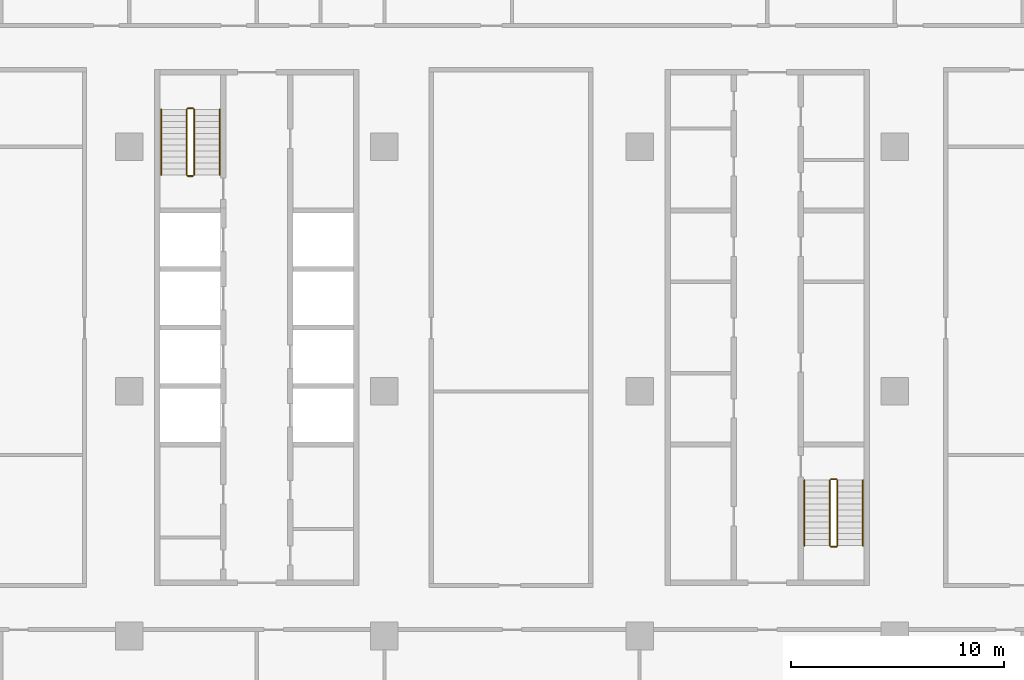
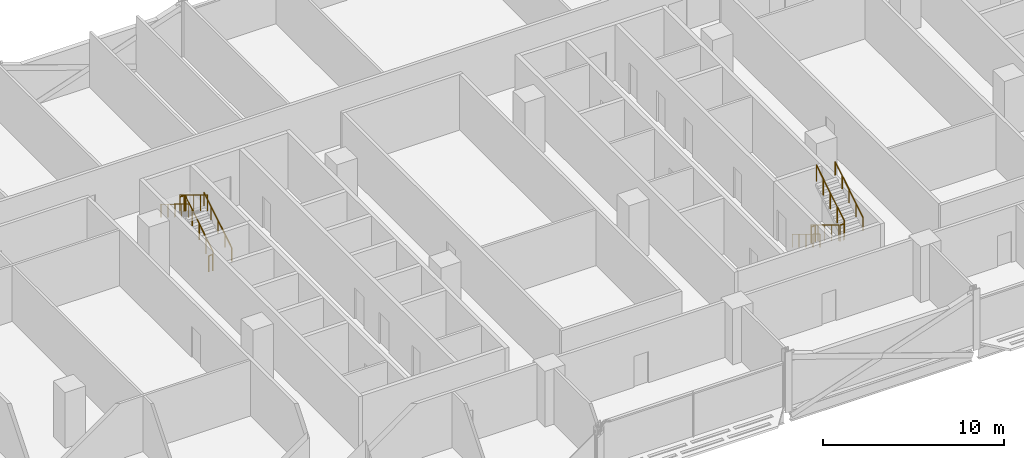
# One storey, part 26 of 29: 12 railings.
"""IFC4 building model written with IfcOpenShell, lengths in metres."""

import ifcopenshell
import ifcopenshell.guid

model = None  # the IFC model being written
_history = None  # IfcOwnerHistory: only IFC2X3 demands one
_inside = {}  # id of a spatial element -> (the spatial element, [elements in it])
_under = {}  # id of a project, library or spatial element -> (it, [spatial elements below it])
_declared = {}  # id of a project -> (the project, [libraries it declares])
_typed = {}  # id of a type object -> (the type object, [elements of that type])
_made_of = {}  # id of a material, layer set ... -> (it, [elements and type objects made of it])


def new_model(schema):
    """Start an empty IFC model of exactly this schema.

    Asked for "IFC4X3", IfcOpenShell would pick the latest addendum, in which some entities
    have other attributes; the version numbers below select the first issue.
    IFC2X3 requires an IfcOwnerHistory on every rooted entity: one is made here for all.
    """
    global model, _history
    if schema == "IFC4X3":
        model = ifcopenshell.file(schema_version=(4, 3, 0, 0))
    else:
        model = ifcopenshell.file(schema=schema)
    _inside.clear()
    _under.clear()
    _declared.clear()
    _typed.clear()
    _made_of.clear()
    _history = None
    if model.schema == "IFC2X3":
        org = make("IfcOrganization", Name="unknown")
        user = make(
            "IfcPersonAndOrganization",
            ThePerson=make("IfcPerson", FamilyName="unknown"),
            TheOrganization=org,
        )
        app = make(
            "IfcApplication",
            ApplicationDeveloper=org,
            Version="unknown",
            ApplicationFullName="unknown",
            ApplicationIdentifier="unknown",
        )
        _history = make(
            "IfcOwnerHistory",
            OwningUser=user,
            OwningApplication=app,
            ChangeAction="ADDED",
            CreationDate=0,
        )
    return model


def make(cls, **values):
    """One entity of the class cls with the attributes given. An attribute that is None is left unset."""
    return model.create_entity(
        cls, **{name: value for name, value in values.items() if value is not None}
    )


def rooted(cls, **values):
    """An entity with a GlobalId (a new one), such as an element, a storey or a relation."""
    return make(cls, GlobalId=ifcopenshell.guid.new(), OwnerHistory=_history, **values)


def si_unit(unit_type, name, prefix=None):
    """IfcSIUnit, for example si_unit("LENGTHUNIT", "METRE", prefix="MILLI")."""
    return make("IfcSIUnit", UnitType=unit_type, Prefix=prefix, Name=name)


def assignment(units):
    """IfcUnitAssignment: the units of a project."""
    return None if units is None else make("IfcUnitAssignment", Units=units)


def point(xyz):
    """IfcCartesianPoint."""
    return None if xyz is None else make("IfcCartesianPoint", Coordinates=xyz)


def direction(xyz):
    """IfcDirection."""
    return None if xyz is None else make("IfcDirection", DirectionRatios=xyz)


def frame(location, z_axis=None, x_axis=None):
    """IfcAxis2Placement3D, a coordinate frame: its origin and axes. An axis left out is left unset."""
    return make(
        "IfcAxis2Placement3D",
        Location=point(location),
        Axis=direction(z_axis),
        RefDirection=direction(x_axis),
    )


def frame_2d(location, x_axis=None):
    """IfcAxis2Placement2D, a coordinate frame in the plane: its origin and x axis."""
    return make(
        "IfcAxis2Placement2D", Location=point(location), RefDirection=direction(x_axis)
    )


def origin():
    """The frame at (0, 0, 0) with its axes left unset."""
    return frame((0.0, 0.0, 0.0))


def origin_2d():
    """The frame at (0, 0) in the plane with its x axis left unset."""
    return frame_2d((0.0, 0.0))


def place(relative_to, where):
    """IfcLocalPlacement: puts the frame where relative to a parent placement (None: the world)."""
    return make(
        "IfcLocalPlacement", PlacementRelTo=relative_to, RelativePlacement=where
    )


def context(
    kind, dimensions, precision=None, world=None, true_north=None, identifier=None
):
    """IfcGeometricRepresentationContext, for example the 3D "Model" context."""
    return make(
        "IfcGeometricRepresentationContext",
        ContextIdentifier=identifier,
        ContextType=kind,
        CoordinateSpaceDimension=dimensions,
        Precision=precision,
        WorldCoordinateSystem=world,
        TrueNorth=true_north,
    )


def subcontext(parent, identifier, kind, view, scale=None):
    """IfcGeometricRepresentationSubContext, for example "Body" below "Model"."""
    return make(
        "IfcGeometricRepresentationSubContext",
        ContextIdentifier=identifier,
        ContextType=kind,
        ParentContext=parent,
        TargetScale=scale,
        TargetView=view,
    )


def project(units=None, contexts=None):
    """IfcProject with its units and contexts."""
    return rooted(
        "IfcProject",
        Name="project",
        RepresentationContexts=contexts,
        UnitsInContext=assignment(units),
    )


def spatial(cls, under=None, at=None, **own):
    """A site, building, storey or space (cls), placed at a placement, below another one or the project."""
    s = rooted(cls, ObjectPlacement=at, **own)
    if under is not None:
        _under.setdefault(under.id(), (under, []))[1].append(s)
    return s


def profile(cls, at=None, kind="AREA", **sizes):
    """A parametric profile (cls). Its sizes go by their IFC names, for example OverallWidth=200.0."""
    return make(cls, ProfileType=kind, Position=at, **sizes)


def circle(**sizes):
    """IfcCircleProfileDef."""
    return profile("IfcCircleProfileDef", **sizes)


def extrude(swept, where, along, depth):
    """IfcExtrudedAreaSolid: the profile swept, set in the frame where, extruded along a direction by depth."""
    return make(
        "IfcExtrudedAreaSolid",
        SweptArea=swept,
        Position=where,
        ExtrudedDirection=direction(along),
        Depth=depth,
    )


def shape(context_of_items, identifier, shape_type, items):
    """IfcShapeRepresentation: the items that make up one representation, for example the "Body"."""
    return make(
        "IfcShapeRepresentation",
        ContextOfItems=context_of_items,
        RepresentationIdentifier=identifier,
        RepresentationType=shape_type,
        Items=items,
    )


def material(Name=None, Category=None):
    """IfcMaterial."""
    return make("IfcMaterial", Name=Name, Category=Category)


def made_of(thing, what):
    """Note that an element or type object is made of a material, layer set ...; save() writes the relation."""
    if what is not None:
        _made_of.setdefault(what.id(), (what, []))[1].append(thing)
    return thing


def type_object(cls, material=None, **own):
    """A type object (cls), such as IfcWallType, which elements share."""
    return made_of(rooted(cls, **own), material)


def element(
    cls,
    number,
    at=None,
    inside=None,
    cuts=None,
    type_object=None,
    material=None,
    context=None,
    identifier="Body",
    shape_type=None,
    held_by="IfcProductDefinitionShape",
    body=None,
    shapes=None,
    **own,
):
    """One element of the class cls, such as IfcWall. Its Tag is "e" and its number.

    at: its placement. inside: the storey or other place that contains it. cuts: it is an
    opening in that element (IfcRelVoidsElement). A single representation is given by context,
    identifier, shape_type and body (its items); several are given by shapes. held_by: the class
    of the entity that holds the representations. save() writes the other relations.
    """
    e = rooted(cls, Tag="e%d" % number, ObjectPlacement=at, **own)
    if body is not None:
        shapes = [shape(context, identifier, shape_type, body)]
    if shapes is not None:
        e.Representation = make(held_by, Representations=shapes)
    if inside is not None:
        _inside.setdefault(inside.id(), (inside, []))[1].append(e)
    if cuts is not None:
        rooted(
            "IfcRelVoidsElement", RelatingBuildingElement=cuts, RelatedOpeningElement=e
        )
    if type_object is not None:
        _typed.setdefault(type_object.id(), (type_object, []))[1].append(e)
    return made_of(e, material)


def aggregate(whole, parts):
    """IfcRelAggregates: a whole, such as a stair, and the parts it consists of."""
    return rooted("IfcRelAggregates", RelatingObject=whole, RelatedObjects=parts)


def save(model, path):
    """Write the relations noted so far, then the file.

    IfcRelAggregates (storeys below a building ...), IfcRelContainedInSpatialStructure (elements
    in a storey), IfcRelDefinesByType, IfcRelAssociatesMaterial and IfcRelDeclares: one each for
    every whole, place, type object, material and project.
    """
    for whole, parts in _under.values():
        aggregate(whole, parts)
    for where, things in _inside.values():
        rooted(
            "IfcRelContainedInSpatialStructure",
            RelatedElements=things,
            RelatingStructure=where,
        )
    for kind, things in _typed.values():
        rooted("IfcRelDefinesByType", RelatedObjects=things, RelatingType=kind)
    for what, things in _made_of.values():
        rooted("IfcRelAssociatesMaterial", RelatedObjects=things, RelatingMaterial=what)
    for by, libraries in _declared.values():
        rooted("IfcRelDeclares", RelatingContext=by, RelatedDefinitions=libraries)
    model.write(path)


model = new_model("IFC4")

# Units and contexts
model_context = context("Model", 3, precision=1e-05, world=origin(), true_north=direction((0.0, 1.0)))
body_context = subcontext(model_context, "Body", "Model", "MODEL_VIEW")
ifc_project = project(units=[si_unit("LENGTHUNIT", "METRE"), si_unit("AREAUNIT", "SQUARE_METRE"), si_unit("VOLUMEUNIT", "CUBIC_METRE"), si_unit("PLANEANGLEUNIT", "RADIAN"), si_unit("MASSUNIT", "GRAM", prefix="KILO")], contexts=[model_context])

# Site, building, storey
site_placement = place(None, origin())
site = spatial("IfcSite", under=ifc_project, at=site_placement, CompositionType="ELEMENT")
building_placement = place(site_placement, origin())
building = spatial("IfcBuilding", under=site, at=building_placement, Name="Mahtab Terrace Research Tower", CompositionType="ELEMENT")
storey_placement = place(building_placement, frame((0.0, 0.0, 126.10009765625)))
storey = spatial("IfcBuildingStorey", under=building, at=storey_placement, Name="L29", CompositionType="ELEMENT", Elevation=126.10009765625)

# Railings
ifc_material = material(Name="Stainless steel AISI 304", Category="steel")
railing_type_1 = type_object("IfcRailingType", Name="Stair guard 1100", PredefinedType="GUARDRAIL", material=ifc_material)
railing_1_placement = place(storey_placement, frame((-26.949951171875, 10.175048828125, 0.170654296875)))
element("IfcRailing", 1, at=railing_1_placement, inside=storey, type_object=railing_type_1, Name="L29 ST1 stair guard 1", PredefinedType="GUARDRAIL", context=body_context, shape_type="SweptSolid", body=[
    extrude(circle(Radius=0.02392578125, at=origin_2d()), frame((0.0, 0.0, 1.076171875), z_axis=(0.0, 0.853647949592, 0.520850437417), x_axis=(-1.0, 0.0, 0.0)), (0.0, 0.0, 1.0), 3.60791015625),
    extrude(circle(Radius=0.02099609375, at=origin_2d()), origin(), (0.0, 0.0, 1.0), 1.052001953125),
    extrude(circle(Radius=0.02099609375, at=origin_2d()), frame((0.0, 0.77001953125, 0.4697265625)), (0.0, 0.0, 1.0), 1.052001953125),
    extrude(circle(Radius=0.02099609375, at=origin_2d()), frame((0.0, 1.5400390625, 0.939453125)), (0.0, 0.0, 1.0), 1.052001953125),
    extrude(circle(Radius=0.02099609375, at=origin_2d()), frame((0.0, 2.309814453125, 1.409423828125)), (0.0, 0.0, 1.0), 1.052001953125),
    extrude(circle(Radius=0.02099609375, at=origin_2d()), frame((0.0, 3.079833984375, 1.879150390625)), (0.0, 0.0, 1.0), 1.052001953125),
])
railing_2_placement = place(storey_placement, frame((-27.0, 13.304931640625, 2.0498046875)))
element("IfcRailing", 2, at=railing_2_placement, inside=storey, type_object=railing_type_1, Name="L29 ST1 stair guard 2", PredefinedType="GUARDRAIL", context=body_context, shape_type="SweptSolid", body=[
    extrude(circle(Radius=0.02392578125, at=origin_2d()), frame((0.0, 0.0, 1.076171875), z_axis=(-1.0, 0.0, 0.0), x_axis=(0.0, -1.0, 0.0)), (0.0, 0.0, 1.0), 0.25),
    extrude(circle(Radius=0.02099609375, at=origin_2d()), origin(), (0.0, 0.0, 1.0), 1.052001953125),
    extrude(circle(Radius=0.02099609375, at=origin_2d()), frame((-0.25, 0.0, 0.0)), (0.0, 0.0, 1.0), 1.052001953125),
])
railing_3_placement = place(storey_placement, frame((-27.300048828125, 13.2548828125, 2.220703125)))
element("IfcRailing", 3, at=railing_3_placement, inside=storey, type_object=railing_type_1, Name="L29 ST1 stair guard 3", PredefinedType="GUARDRAIL", context=body_context, shape_type="SweptSolid", body=[
    extrude(circle(Radius=0.02392578125, at=origin_2d()), frame((0.0, 0.0, 1.076171875), z_axis=(0.0, -0.853647949592, 0.520850437417), x_axis=(1.0, 0.0, 0.0)), (0.0, 0.0, 1.0), 3.60791015625),
    extrude(circle(Radius=0.02099609375, at=origin_2d()), origin(), (0.0, 0.0, 1.0), 1.052001953125),
    extrude(circle(Radius=0.02099609375, at=origin_2d()), frame((0.0, -0.77001953125, 0.4697265625)), (0.0, 0.0, 1.0), 1.052001953125),
    extrude(circle(Radius=0.02099609375, at=origin_2d()), frame((0.0, -1.5400390625, 0.939453125)), (0.0, 0.0, 1.0), 1.052001953125),
    extrude(circle(Radius=0.02099609375, at=origin_2d()), frame((0.0, -2.309814453125, 1.409423828125)), (0.0, 0.0, 1.0), 1.052001953125),
    extrude(circle(Radius=0.02099609375, at=origin_2d()), frame((0.0, -3.079833984375, 1.879150390625)), (0.0, 0.0, 1.0), 1.052001953125),
])
railing_4_placement = place(storey_placement, frame((-27.0, 10.125, 0.0)))
element("IfcRailing", 4, at=railing_4_placement, inside=storey, type_object=railing_type_1, Name="L29 ST1 stair guard 4", PredefinedType="GUARDRAIL", context=body_context, shape_type="SweptSolid", body=[
    extrude(circle(Radius=0.02392578125, at=origin_2d()), frame((0.0, 0.0, 1.076171875), z_axis=(-1.0, 0.0, 0.0), x_axis=(0.0, -1.0, 0.0)), (0.0, 0.0, 1.0), 0.25),
    extrude(circle(Radius=0.02099609375, at=origin_2d()), origin(), (0.0, 0.0, 1.0), 1.052001953125),
    extrude(circle(Radius=0.02099609375, at=origin_2d()), frame((-0.25, 0.0, 0.0)), (0.0, 0.0, 1.0), 1.052001953125),
])
railing_5_placement = place(storey_placement, frame((2.949951171875, -4.175048828125, 0.170654296875)))
element("IfcRailing", 5, at=railing_5_placement, inside=storey, type_object=railing_type_1, Name="L29 ST2 stair guard 1", PredefinedType="GUARDRAIL", context=body_context, shape_type="SweptSolid", body=[
    extrude(circle(Radius=0.02392578125, at=origin_2d()), frame((0.0, 0.0, 1.076171875), z_axis=(0.0, -0.853647949592, 0.520850437417), x_axis=(1.0, 0.0, 0.0)), (0.0, 0.0, 1.0), 3.60791015625),
    extrude(circle(Radius=0.02099609375, at=origin_2d()), origin(), (0.0, 0.0, 1.0), 1.052001953125),
    extrude(circle(Radius=0.02099609375, at=origin_2d()), frame((0.0, -0.77001953125, 0.4697265625)), (0.0, 0.0, 1.0), 1.052001953125),
    extrude(circle(Radius=0.02099609375, at=origin_2d()), frame((0.0, -1.5400390625, 0.939453125)), (0.0, 0.0, 1.0), 1.052001953125),
    extrude(circle(Radius=0.02099609375, at=origin_2d()), frame((0.0, -2.309814453125, 1.409423828125)), (0.0, 0.0, 1.0), 1.052001953125),
    extrude(circle(Radius=0.02099609375, at=origin_2d()), frame((0.0, -3.079833984375, 1.879150390625)), (0.0, 0.0, 1.0), 1.052001953125),
])
railing_6_placement = place(storey_placement, frame((3.0, -7.304931640625, 2.0498046875)))
element("IfcRailing", 6, at=railing_6_placement, inside=storey, type_object=railing_type_1, Name="L29 ST2 stair guard 2", PredefinedType="GUARDRAIL", context=body_context, shape_type="SweptSolid", body=[
    extrude(circle(Radius=0.02392578125, at=origin_2d()), frame((0.0, 0.0, 1.076171875), z_axis=(1.0, 0.0, 0.0), x_axis=(0.0, 1.0, 0.0)), (0.0, 0.0, 1.0), 0.25),
    extrude(circle(Radius=0.02099609375, at=origin_2d()), origin(), (0.0, 0.0, 1.0), 1.052001953125),
    extrude(circle(Radius=0.02099609375, at=origin_2d()), frame((0.25, 0.0, 0.0)), (0.0, 0.0, 1.0), 1.052001953125),
])
railing_7_placement = place(storey_placement, frame((3.300048828125, -7.2548828125, 2.220703125)))
element("IfcRailing", 7, at=railing_7_placement, inside=storey, type_object=railing_type_1, Name="L29 ST2 stair guard 3", PredefinedType="GUARDRAIL", context=body_context, shape_type="SweptSolid", body=[
    extrude(circle(Radius=0.02392578125, at=origin_2d()), frame((0.0, 0.0, 1.076171875), z_axis=(0.0, 0.853647949592, 0.520850437417), x_axis=(-1.0, 0.0, 0.0)), (0.0, 0.0, 1.0), 3.60791015625),
    extrude(circle(Radius=0.02099609375, at=origin_2d()), origin(), (0.0, 0.0, 1.0), 1.052001953125),
    extrude(circle(Radius=0.02099609375, at=origin_2d()), frame((0.0, 0.77001953125, 0.4697265625)), (0.0, 0.0, 1.0), 1.052001953125),
    extrude(circle(Radius=0.02099609375, at=origin_2d()), frame((0.0, 1.5400390625, 0.939453125)), (0.0, 0.0, 1.0), 1.052001953125),
    extrude(circle(Radius=0.02099609375, at=origin_2d()), frame((0.0, 2.309814453125, 1.409423828125)), (0.0, 0.0, 1.0), 1.052001953125),
    extrude(circle(Radius=0.02099609375, at=origin_2d()), frame((0.0, 3.079833984375, 1.879150390625)), (0.0, 0.0, 1.0), 1.052001953125),
])
railing_8_placement = place(storey_placement, frame((3.0, -4.125, 0.0)))
element("IfcRailing", 8, at=railing_8_placement, inside=storey, type_object=railing_type_1, Name="L29 ST2 stair guard 4", PredefinedType="GUARDRAIL", context=body_context, shape_type="SweptSolid", body=[
    extrude(circle(Radius=0.02392578125, at=origin_2d()), frame((0.0, 0.0, 1.076171875), z_axis=(1.0, 0.0, 0.0), x_axis=(0.0, 1.0, 0.0)), (0.0, 0.0, 1.0), 0.25),
    extrude(circle(Radius=0.02099609375, at=origin_2d()), origin(), (0.0, 0.0, 1.0), 1.052001953125),
    extrude(circle(Radius=0.02099609375, at=origin_2d()), frame((0.25, 0.0, 0.0)), (0.0, 0.0, 1.0), 1.052001953125),
])
railing_type_2 = type_object("IfcRailingType", Name="Stair handrail 900", PredefinedType="HANDRAIL", material=ifc_material)
railing_9_placement = place(storey_placement, frame((-25.75, 10.175048828125, 0.170654296875)))
element("IfcRailing", 9, at=railing_9_placement, inside=storey, type_object=railing_type_2, Name="L29 ST1 stair handrail 1", PredefinedType="HANDRAIL", context=body_context, shape_type="SweptSolid", body=[
    extrude(circle(Radius=0.02392578125, at=origin_2d()), frame((0.0, 0.0, 0.8759765625), z_axis=(0.0, 0.853647949592, 0.520850437417), x_axis=(-1.0, 0.0, 0.0)), (0.0, 0.0, 1.0), 3.60791015625),
    extrude(circle(Radius=0.02099609375, at=origin_2d()), origin(), (0.0, 0.0, 1.0), 0.851806640625),
    extrude(circle(Radius=0.02099609375, at=origin_2d()), frame((0.0, 0.77001953125, 0.4697265625)), (0.0, 0.0, 1.0), 0.851806640625),
    extrude(circle(Radius=0.02099609375, at=origin_2d()), frame((0.0, 1.5400390625, 0.939453125)), (0.0, 0.0, 1.0), 0.851806640625),
    extrude(circle(Radius=0.02099609375, at=origin_2d()), frame((0.0, 2.309814453125, 1.409423828125)), (0.0, 0.0, 1.0), 0.851806640625),
    extrude(circle(Radius=0.02099609375, at=origin_2d()), frame((0.0, 3.079833984375, 1.879150390625)), (0.0, 0.0, 1.0), 0.851806640625),
])
for number, where, name in (
    (10, (-28.5, 13.2548828125, 2.220703125), "L29 ST1 stair handrail 2"),
    (11, (1.75, -4.175048828125, 0.170654296875), "L29 ST2 stair handrail 1"),
):
    element("IfcRailing", number, at=place(storey_placement, frame(where)), inside=storey, type_object=railing_type_2, Name=name, PredefinedType="HANDRAIL", context=body_context, shape_type="SweptSolid", body=[
        extrude(circle(Radius=0.02392578125, at=origin_2d()), frame((0.0, 0.0, 0.8759765625), z_axis=(0.0, -0.853647949592, 0.520850437417), x_axis=(1.0, 0.0, 0.0)), (0.0, 0.0, 1.0), 3.60791015625),
        extrude(circle(Radius=0.02099609375, at=origin_2d()), origin(), (0.0, 0.0, 1.0), 0.851806640625),
        extrude(circle(Radius=0.02099609375, at=origin_2d()), frame((0.0, -0.77001953125, 0.4697265625)), (0.0, 0.0, 1.0), 0.851806640625),
        extrude(circle(Radius=0.02099609375, at=origin_2d()), frame((0.0, -1.5400390625, 0.939453125)), (0.0, 0.0, 1.0), 0.851806640625),
        extrude(circle(Radius=0.02099609375, at=origin_2d()), frame((0.0, -2.309814453125, 1.409423828125)), (0.0, 0.0, 1.0), 0.851806640625),
        extrude(circle(Radius=0.02099609375, at=origin_2d()), frame((0.0, -3.079833984375, 1.879150390625)), (0.0, 0.0, 1.0), 0.851806640625),
    ])
railing_10_placement = place(storey_placement, frame((4.5, -7.2548828125, 2.220703125)))
element("IfcRailing", 12, at=railing_10_placement, inside=storey, type_object=railing_type_2, Name="L29 ST2 stair handrail 2", PredefinedType="HANDRAIL", context=body_context, shape_type="SweptSolid", body=[
    extrude(circle(Radius=0.02392578125, at=origin_2d()), frame((0.0, 0.0, 0.8759765625), z_axis=(0.0, 0.853647949592, 0.520850437417), x_axis=(-1.0, 0.0, 0.0)), (0.0, 0.0, 1.0), 3.60791015625),
    extrude(circle(Radius=0.02099609375, at=origin_2d()), origin(), (0.0, 0.0, 1.0), 0.851806640625),
    extrude(circle(Radius=0.02099609375, at=origin_2d()), frame((0.0, 0.77001953125, 0.4697265625)), (0.0, 0.0, 1.0), 0.851806640625),
    extrude(circle(Radius=0.02099609375, at=origin_2d()), frame((0.0, 1.5400390625, 0.939453125)), (0.0, 0.0, 1.0), 0.851806640625),
    extrude(circle(Radius=0.02099609375, at=origin_2d()), frame((0.0, 2.309814453125, 1.409423828125)), (0.0, 0.0, 1.0), 0.851806640625),
    extrude(circle(Radius=0.02099609375, at=origin_2d()), frame((0.0, 3.079833984375, 1.879150390625)), (0.0, 0.0, 1.0), 0.851806640625),
])

save(model, "model.ifc")
